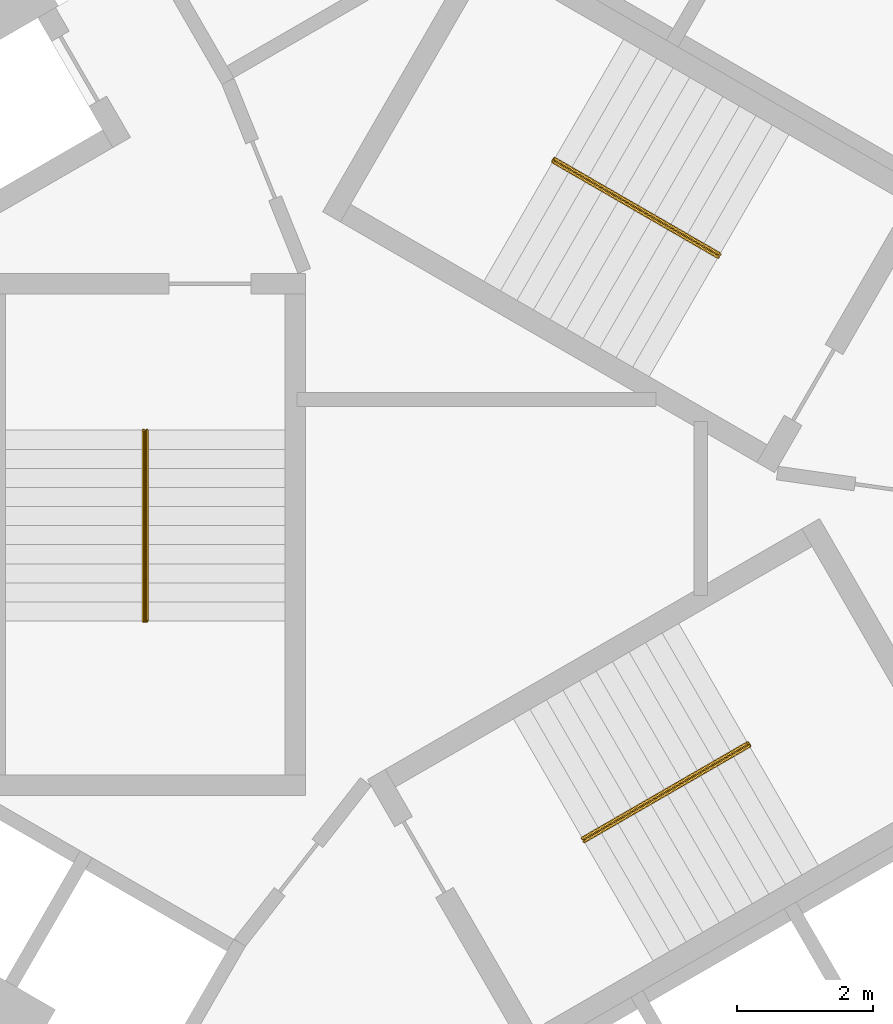
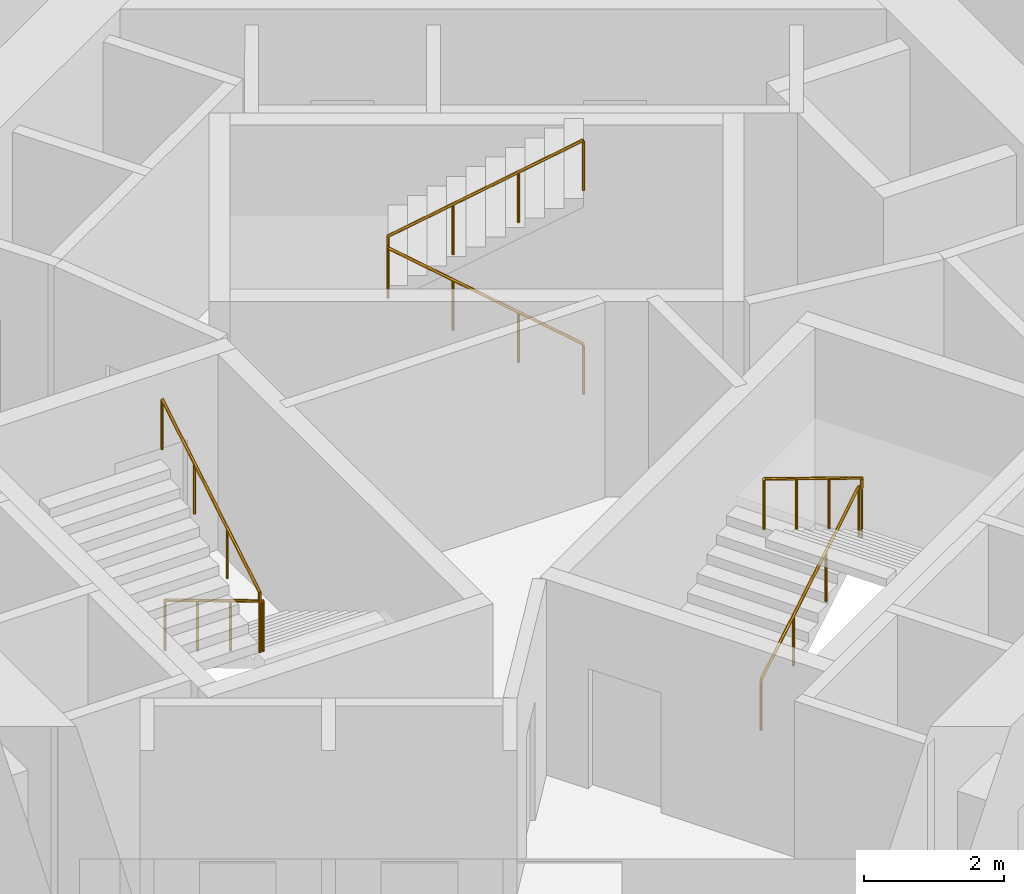
# One storey, part 11 of 11: 3 railings.
"""IFC4 building model written with IfcOpenShell, lengths in metres."""

from ifc_helpers import new_model, si_unit, direction, frame, origin, origin_2d, place, context, subcontext, project, spatial, circle, extrude, material, type_object, element, save


model = new_model("IFC4")

# Units and contexts
model_context = context("Model", 3, precision=1e-05, world=origin(), true_north=direction((0.0, 1.0)))
body_context = subcontext(model_context, "Body", "Model", "MODEL_VIEW")
ifc_project = project(units=[si_unit("LENGTHUNIT", "METRE"), si_unit("AREAUNIT", "SQUARE_METRE"), si_unit("VOLUMEUNIT", "CUBIC_METRE"), si_unit("PLANEANGLEUNIT", "RADIAN"), si_unit("MASSUNIT", "GRAM", prefix="KILO")], contexts=[model_context])

# Site, building, storey
site_placement = place(None, origin())
site = spatial("IfcSite", under=ifc_project, at=site_placement, CompositionType="ELEMENT")
building_placement = place(site_placement, origin())
building = spatial("IfcBuilding", under=site, at=building_placement, Name="Vanh Sen Convention Tower", CompositionType="ELEMENT")
storey_placement = place(building_placement, frame((0.0, 0.0, 150.300048828125)))
storey = spatial("IfcBuildingStorey", under=building, at=storey_placement, Name="L36", CompositionType="ELEMENT", Elevation=150.300048828125)

# Railings
ifc_material = material(Name="Stainless steel handrail", Category="steel")
railing_type = type_object("IfcRailingType", Name="Stair handrail 900", PredefinedType="HANDRAIL", material=ifc_material)
railing_1_placement = place(storey_placement, frame((3.45849609375, 3.690185546875, 0.168212890625)))
element("IfcRailing", 1, at=railing_1_placement, inside=storey, type_object=railing_type, Name="Stair handrail ST1 L36", PredefinedType="HANDRAIL", context=body_context, shape_type="SweptSolid", body=[
    extrude(circle(Radius=0.02392578125, at=origin_2d()), frame((0.0, 0.0, 0.8759765625), z_axis=(-0.74241905619, 0.428617687091, 0.514879426), x_axis=(-0.49998411664, -0.866034573852, 0.0)), (0.0, 0.0, 1.0), 3.26611328125),
    extrude(circle(Radius=0.02392578125, at=origin_2d()), frame((-2.4248046875, 1.39990234375, 2.5576171875), z_axis=(0.497188445666, 0.867642581652, 0.0), x_axis=(-0.867642581652, 0.497188445666, 0.0)), (0.0, 0.0, 1.0), 0.050048828125),
    extrude(circle(Radius=0.02392578125, at=origin_2d()), frame((-2.39990234375, 1.443359375, 2.5576171875), z_axis=(0.0, 0.0, 1.0), x_axis=(1.0, 0.0, 0.0)), (0.0, 0.0, 1.0), 0.168212890625),
    extrude(circle(Radius=0.02392578125, at=origin_2d()), frame((-2.39990234375, 1.443359375, 2.7255859375), z_axis=(0.742366697286, -0.42866220388, 0.514917859203), x_axis=(0.500049511043, 0.865996816683, 0.0)), (0.0, 0.0, 1.0), 3.266357421875),
    extrude(circle(Radius=0.02099609375, at=origin_2d()), origin(), (0.0, 0.0, 1.0), 0.851806640625),
    extrude(circle(Radius=0.02099609375, at=origin_2d()), frame((-0.808349609375, 0.466552734375, 0.560546875)), (0.0, 0.0, 1.0), 0.851806640625),
    extrude(circle(Radius=0.02099609375, at=origin_2d()), frame((-1.616455078125, 0.933349609375, 1.12109375)), (0.0, 0.0, 1.0), 0.851806640625),
    extrude(circle(Radius=0.02099609375, at=origin_2d()), frame((-2.4248046875, 1.39990234375, 1.681640625)), (0.0, 0.0, 1.0), 0.851806640625),
    extrude(circle(Radius=0.02099609375, at=origin_2d()), frame((-2.39990234375, 1.443359375, 1.681640625)), (0.0, 0.0, 1.0), 0.851806640625),
    extrude(circle(Radius=0.02099609375, at=origin_2d()), frame((-2.39990234375, 1.443359375, 1.849853515625)), (0.0, 0.0, 1.0), 0.851806640625),
    extrude(circle(Radius=0.02099609375, at=origin_2d()), frame((-1.591552734375, 0.9765625, 2.410400390625)), (0.0, 0.0, 1.0), 0.851806640625),
    extrude(circle(Radius=0.02099609375, at=origin_2d()), frame((-0.783447265625, 0.510009765625, 2.97119140625)), (0.0, 0.0, 1.0), 0.851806640625),
    extrude(circle(Radius=0.02099609375, at=origin_2d()), frame((0.02490234375, 0.043212890625, 3.53173828125)), (0.0, 0.0, 1.0), 0.851806640625),
])
railing_2_placement = place(storey_placement, frame((-4.925048828125, 1.14990234375, 0.168212890625)))
element("IfcRailing", 2, at=railing_2_placement, inside=storey, type_object=railing_type, Name="Stair handrail ST2 L36", PredefinedType="HANDRAIL", context=body_context, shape_type="SweptSolid", body=[
    extrude(circle(Radius=0.02392578125, at=origin_2d()), frame((0.0, 0.0, 0.8759765625), z_axis=(0.0, -0.857255387014, 0.514891446264), x_axis=(1.0, 0.0, 0.0)), (0.0, 0.0, 1.0), 3.26611328125),
    extrude(circle(Radius=0.02392578125, at=origin_2d()), frame((0.0, -2.7998046875, 2.5576171875), z_axis=(-1.0, 0.0, 0.0), x_axis=(0.0, -1.0, 0.0)), (0.0, 0.0, 1.0), 0.050048828125),
    extrude(circle(Radius=0.02392578125, at=origin_2d()), frame((-0.050048828125, -2.7998046875, 2.5576171875), z_axis=(0.0, 0.0, 1.0), x_axis=(1.0, 0.0, 0.0)), (0.0, 0.0, 1.0), 0.168212890625),
    extrude(circle(Radius=0.02392578125, at=origin_2d()), frame((-0.050048828125, -2.7998046875, 2.7255859375), z_axis=(0.0, 0.857222391501, 0.514946377315), x_axis=(-1.0, 0.0, 0.0)), (0.0, 0.0, 1.0), 3.26611328125),
    extrude(circle(Radius=0.02099609375, at=origin_2d()), origin(), (0.0, 0.0, 1.0), 0.851806640625),
    extrude(circle(Radius=0.02099609375, at=origin_2d()), frame((0.0, -0.933349609375, 0.560546875)), (0.0, 0.0, 1.0), 0.851806640625),
    extrude(circle(Radius=0.02099609375, at=origin_2d()), frame((0.0, -1.866455078125, 1.12109375)), (0.0, 0.0, 1.0), 0.851806640625),
    extrude(circle(Radius=0.02099609375, at=origin_2d()), frame((0.0, -2.7998046875, 1.681640625)), (0.0, 0.0, 1.0), 0.851806640625),
    extrude(circle(Radius=0.02099609375, at=origin_2d()), frame((-0.050048828125, -2.7998046875, 1.681640625)), (0.0, 0.0, 1.0), 0.851806640625),
    extrude(circle(Radius=0.02099609375, at=origin_2d()), frame((-0.050048828125, -2.7998046875, 1.849853515625)), (0.0, 0.0, 1.0), 0.851806640625),
    extrude(circle(Radius=0.02099609375, at=origin_2d()), frame((-0.050048828125, -1.866455078125, 2.410400390625)), (0.0, 0.0, 1.0), 0.851806640625),
    extrude(circle(Radius=0.02099609375, at=origin_2d()), frame((-0.050048828125, -0.933349609375, 2.97119140625)), (0.0, 0.0, 1.0), 0.851806640625),
    extrude(circle(Radius=0.02099609375, at=origin_2d()), frame((-0.050048828125, 0.0, 3.53173828125)), (0.0, 0.0, 1.0), 0.851806640625),
])
railing_3_placement = place(storey_placement, frame((1.466552734375, -4.840087890625, 0.168212890625)))
element("IfcRailing", 3, at=railing_3_placement, inside=storey, type_object=railing_type, Name="Stair handrail ST3 L36", PredefinedType="HANDRAIL", context=body_context, shape_type="SweptSolid", body=[
    extrude(circle(Radius=0.02392578125, at=origin_2d()), frame((0.0, 0.0, 0.8759765625), z_axis=(0.74241905619, 0.428617687091, 0.514879426), x_axis=(-0.49998411664, 0.866034573852, 0.0)), (0.0, 0.0, 1.0), 3.26611328125),
    extrude(circle(Radius=0.02392578125, at=origin_2d()), frame((2.4248046875, 1.39990234375, 2.5576171875), z_axis=(0.502959906984, -0.86430974307, 0.0), x_axis=(0.86430974307, 0.502959906984, 0.0)), (0.0, 0.0, 1.0), 0.050048828125),
    extrude(circle(Radius=0.02392578125, at=origin_2d()), frame((2.449951171875, 1.356689453125, 2.5576171875), z_axis=(0.0, 0.0, 1.0), x_axis=(1.0, 0.0, 0.0)), (0.0, 0.0, 1.0), 0.168212890625),
    extrude(circle(Radius=0.02392578125, at=origin_2d()), frame((2.449951171875, 1.356689453125, 2.7255859375), z_axis=(-0.742366697286, -0.42866220388, 0.514917859203), x_axis=(0.500049511043, -0.865996816683, 0.0)), (0.0, 0.0, 1.0), 3.266357421875),
    extrude(circle(Radius=0.02099609375, at=origin_2d()), origin(), (0.0, 0.0, 1.0), 0.851806640625),
    extrude(circle(Radius=0.02099609375, at=origin_2d()), frame((0.808349609375, 0.466552734375, 0.560546875)), (0.0, 0.0, 1.0), 0.851806640625),
    extrude(circle(Radius=0.02099609375, at=origin_2d()), frame((1.616455078125, 0.933349609375, 1.12109375)), (0.0, 0.0, 1.0), 0.851806640625),
    extrude(circle(Radius=0.02099609375, at=origin_2d()), frame((2.4248046875, 1.39990234375, 1.681640625)), (0.0, 0.0, 1.0), 0.851806640625),
    extrude(circle(Radius=0.02099609375, at=origin_2d()), frame((2.449951171875, 1.356689453125, 1.681640625)), (0.0, 0.0, 1.0), 0.851806640625),
    extrude(circle(Radius=0.02099609375, at=origin_2d()), frame((2.449951171875, 1.356689453125, 1.849853515625)), (0.0, 0.0, 1.0), 0.851806640625),
    extrude(circle(Radius=0.02099609375, at=origin_2d()), frame((1.6416015625, 0.889892578125, 2.410400390625)), (0.0, 0.0, 1.0), 0.851806640625),
    extrude(circle(Radius=0.02099609375, at=origin_2d()), frame((0.83349609375, 0.42333984375, 2.97119140625)), (0.0, 0.0, 1.0), 0.851806640625),
    extrude(circle(Radius=0.02099609375, at=origin_2d()), frame((0.025146484375, -0.04345703125, 3.53173828125)), (0.0, 0.0, 1.0), 0.851806640625),
])

save(model, "model.ifc")
